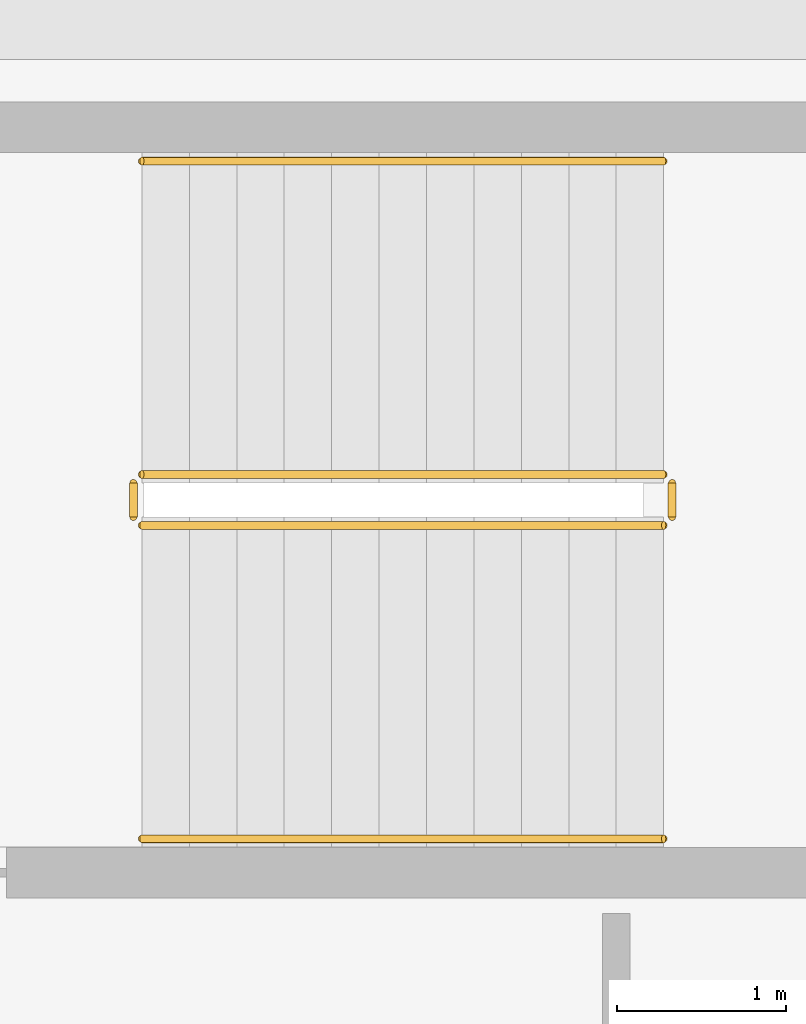
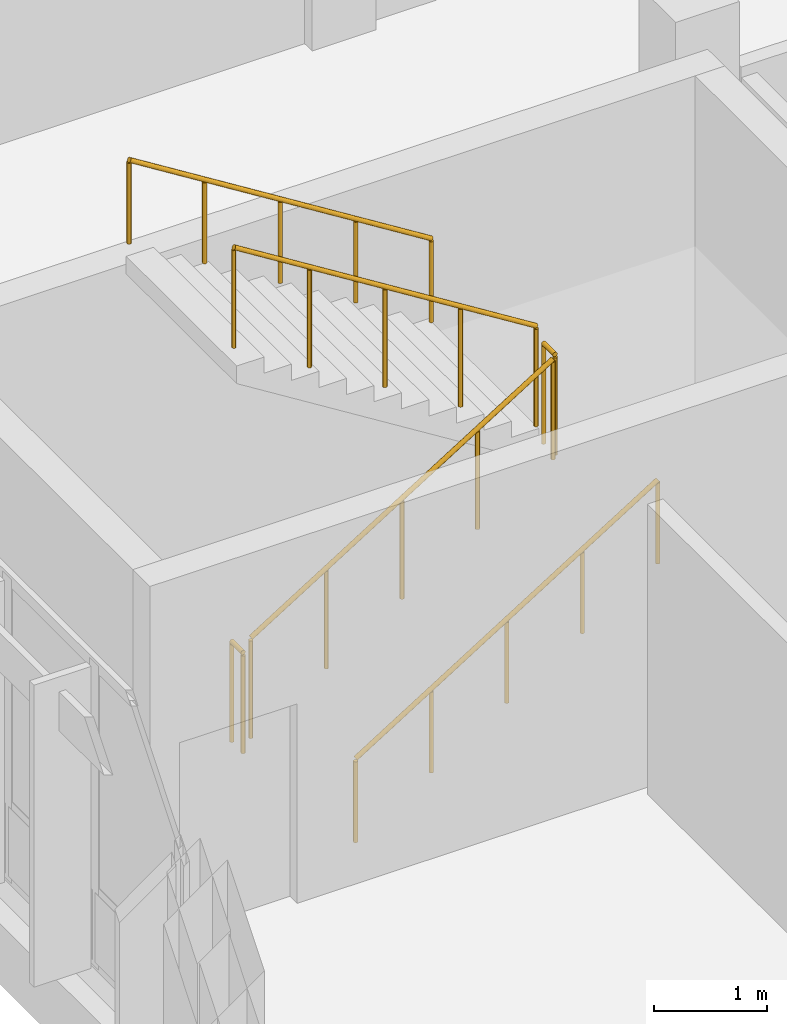
# One storey, part 182 of 182: 6 railings.
"""IFC4 building model written with IfcOpenShell, lengths in metres."""

from ifc_helpers import new_model, si_unit, direction, frame, origin, origin_2d, place, context, subcontext, project, spatial, circle, extrude, material, layer, layer_set, type_object, element, save


model = new_model("IFC4")

# Units and contexts
model_context = context("Model", 3, precision=1e-05, world=origin(), true_north=direction((0.0, 1.0)))
body_context = subcontext(model_context, "Body", "Model", "MODEL_VIEW")
ifc_project = project(units=[si_unit("LENGTHUNIT", "METRE"), si_unit("AREAUNIT", "SQUARE_METRE"), si_unit("VOLUMEUNIT", "CUBIC_METRE"), si_unit("PLANEANGLEUNIT", "RADIAN"), si_unit("MASSUNIT", "GRAM", prefix="KILO")], contexts=[model_context])

# Site, building, storey
site_placement = place(None, origin())
site = spatial("IfcSite", under=ifc_project, at=site_placement, CompositionType="ELEMENT")
building_placement = place(site_placement, origin())
building = spatial("IfcBuilding", under=site, at=building_placement, Name="Chiffa Square Polytechnic", CompositionType="ELEMENT")
storey_placement = place(building_placement, frame((0.0, 0.0, 9.60009765625)))
storey = spatial("IfcBuildingStorey", under=building, at=storey_placement, Name="L02", CompositionType="ELEMENT", Elevation=9.60009765625)

# Railings
ifc_material = material(Name="Steel S355", Category="steel")
ifc_layer_1 = layer(ifc_material, 0.050048828125, Name="Steel S355")
ifc_layer_set_1 = layer_set([ifc_layer_1], Name="Steel S355")
railing_type_1 = type_object("IfcRailingType", Name="RL-STAIR-GUARD", PredefinedType="GUARDRAIL", material=ifc_layer_set_1)
railing_1_placement = place(storey_placement, frame((151.0, 48.0, 0.1748046875)))
element("IfcRailing", 1, at=railing_1_placement, inside=storey, type_object=railing_type_1, Name="L02 ST-V1B stair guard 1", PredefinedType="GUARDRAIL", context=body_context, shape_type="SweptSolid", body=[
    extrude(circle(Radius=0.02392578125, at=origin_2d()), frame((0.0, 0.0, 1.076171875), z_axis=(0.847998304005, 0.0, 0.529998940003), x_axis=(0.0, 1.0, 0.0)), (0.0, 0.0, 1.0), 3.632080078125),
    extrude(circle(Radius=0.02099609375, at=origin_2d()), origin(), (0.0, 0.0, 1.0), 1.052001953125),
    extrude(circle(Radius=0.02099609375, at=origin_2d()), frame((0.77001953125, 0.0, 0.481201171875)), (0.0, 0.0, 1.0), 1.052001953125),
    extrude(circle(Radius=0.02099609375, at=origin_2d()), frame((1.5400390625, 0.0, 0.96240234375)), (0.0, 0.0, 1.0), 1.052001953125),
    extrude(circle(Radius=0.02099609375, at=origin_2d()), frame((2.31005859375, 0.0, 1.44384765625)), (0.0, 0.0, 1.0), 1.052001953125),
    extrude(circle(Radius=0.02099609375, at=origin_2d()), frame((3.080078125, 0.0, 1.925048828125)), (0.0, 0.0, 1.0), 1.052001953125),
])
railing_2_placement = place(storey_placement, frame((154.1298828125, 48.050048828125, 2.099853515625)))
element("IfcRailing", 2, at=railing_2_placement, inside=storey, type_object=railing_type_1, Name="L02 ST-V1B stair guard 2", PredefinedType="GUARDRAIL", context=body_context, shape_type="SweptSolid", body=[
    extrude(circle(Radius=0.02392578125, at=origin_2d()), frame((0.0, 0.0, 1.076171875), z_axis=(0.0, 1.0, 0.0), x_axis=(-1.0, 0.0, 0.0)), (0.0, 0.0, 1.0), 0.199951171875),
    extrude(circle(Radius=0.02099609375, at=origin_2d()), origin(), (0.0, 0.0, 1.0), 1.052001953125),
    extrude(circle(Radius=0.02099609375, at=origin_2d()), frame((0.0, 0.199951171875, 0.0)), (0.0, 0.0, 1.0), 1.052001953125),
])
railing_3_placement = place(storey_placement, frame((154.080078125, 48.300048828125, 2.27490234375)))
element("IfcRailing", 3, at=railing_3_placement, inside=storey, type_object=railing_type_1, Name="L02 ST-V1B stair guard 3", PredefinedType="GUARDRAIL", context=body_context, shape_type="SweptSolid", body=[
    extrude(circle(Radius=0.02392578125, at=origin_2d()), frame((0.0, 0.0, 1.076171875), z_axis=(-0.847998304005, 0.0, 0.529998940003), x_axis=(0.0, -1.0, 0.0)), (0.0, 0.0, 1.0), 3.632080078125),
    extrude(circle(Radius=0.02099609375, at=origin_2d()), origin(), (0.0, 0.0, 1.0), 1.052001953125),
    extrude(circle(Radius=0.02099609375, at=origin_2d()), frame((-0.77001953125, 0.0, 0.481201171875)), (0.0, 0.0, 1.0), 1.052001953125),
    extrude(circle(Radius=0.02099609375, at=origin_2d()), frame((-1.5400390625, 0.0, 0.96240234375)), (0.0, 0.0, 1.0), 1.052001953125),
    extrude(circle(Radius=0.02099609375, at=origin_2d()), frame((-2.31005859375, 0.0, 1.44384765625)), (0.0, 0.0, 1.0), 1.052001953125),
    extrude(circle(Radius=0.02099609375, at=origin_2d()), frame((-3.080078125, 0.0, 1.925048828125)), (0.0, 0.0, 1.0), 1.052001953125),
])
railing_4_placement = place(storey_placement, frame((150.949951171875, 48.050048828125, 0.0)))
element("IfcRailing", 4, at=railing_4_placement, inside=storey, type_object=railing_type_1, Name="L02 ST-V1B stair guard 4", PredefinedType="GUARDRAIL", context=body_context, shape_type="SweptSolid", body=[
    extrude(circle(Radius=0.02392578125, at=origin_2d()), frame((0.0, 0.0, 1.076171875), z_axis=(0.0, 1.0, 0.0), x_axis=(-1.0, 0.0, 0.0)), (0.0, 0.0, 1.0), 0.199951171875),
    extrude(circle(Radius=0.02099609375, at=origin_2d()), origin(), (0.0, 0.0, 1.0), 1.052001953125),
    extrude(circle(Radius=0.02099609375, at=origin_2d()), frame((0.0, 0.199951171875, 0.0)), (0.0, 0.0, 1.0), 1.052001953125),
])
ifc_layer_2 = layer(ifc_material, 0.044921875, Name="Steel S355")
ifc_layer_set_2 = layer_set([ifc_layer_2], Name="Steel S355")
railing_type_2 = type_object("IfcRailingType", Name="RL-STAIR-HAND", PredefinedType="HANDRAIL", material=ifc_layer_set_2)
railing_5_placement = place(storey_placement, frame((151.0, 46.14990234375, 0.1748046875)))
element("IfcRailing", 5, at=railing_5_placement, inside=storey, type_object=railing_type_2, Name="L02 ST-V1B stair handrail 1", PredefinedType="HANDRAIL", context=body_context, shape_type="SweptSolid", body=[
    extrude(circle(Radius=0.02392578125, at=origin_2d()), frame((0.0, 0.0, 0.89599609375), z_axis=(0.847998304005, 0.0, 0.529998940003), x_axis=(0.0, 1.0, 0.0)), (0.0, 0.0, 1.0), 3.632080078125),
    extrude(circle(Radius=0.02099609375, at=origin_2d()), origin(), (0.0, 0.0, 1.0), 0.871826171875),
    extrude(circle(Radius=0.02099609375, at=origin_2d()), frame((0.77001953125, 0.0, 0.481201171875)), (0.0, 0.0, 1.0), 0.871826171875),
    extrude(circle(Radius=0.02099609375, at=origin_2d()), frame((1.5400390625, 0.0, 0.96240234375)), (0.0, 0.0, 1.0), 0.871826171875),
    extrude(circle(Radius=0.02099609375, at=origin_2d()), frame((2.31005859375, 0.0, 1.44384765625)), (0.0, 0.0, 1.0), 0.871826171875),
    extrude(circle(Radius=0.02099609375, at=origin_2d()), frame((3.080078125, 0.0, 1.925048828125)), (0.0, 0.0, 1.0), 0.871826171875),
])
railing_6_placement = place(storey_placement, frame((154.080078125, 50.14990234375, 2.27490234375)))
element("IfcRailing", 6, at=railing_6_placement, inside=storey, type_object=railing_type_2, Name="L02 ST-V1B stair handrail 2", PredefinedType="HANDRAIL", context=body_context, shape_type="SweptSolid", body=[
    extrude(circle(Radius=0.02392578125, at=origin_2d()), frame((0.0, 0.0, 0.89599609375), z_axis=(-0.847998304005, 0.0, 0.529998940003), x_axis=(0.0, -1.0, 0.0)), (0.0, 0.0, 1.0), 3.632080078125),
    extrude(circle(Radius=0.02099609375, at=origin_2d()), origin(), (0.0, 0.0, 1.0), 0.871826171875),
    extrude(circle(Radius=0.02099609375, at=origin_2d()), frame((-0.77001953125, 0.0, 0.481201171875)), (0.0, 0.0, 1.0), 0.871826171875),
    extrude(circle(Radius=0.02099609375, at=origin_2d()), frame((-1.5400390625, 0.0, 0.96240234375)), (0.0, 0.0, 1.0), 0.871826171875),
    extrude(circle(Radius=0.02099609375, at=origin_2d()), frame((-2.31005859375, 0.0, 1.44384765625)), (0.0, 0.0, 1.0), 0.871826171875),
    extrude(circle(Radius=0.02099609375, at=origin_2d()), frame((-3.080078125, 0.0, 1.925048828125)), (0.0, 0.0, 1.0), 0.871826171875),
])

save(model, "model.ifc")
